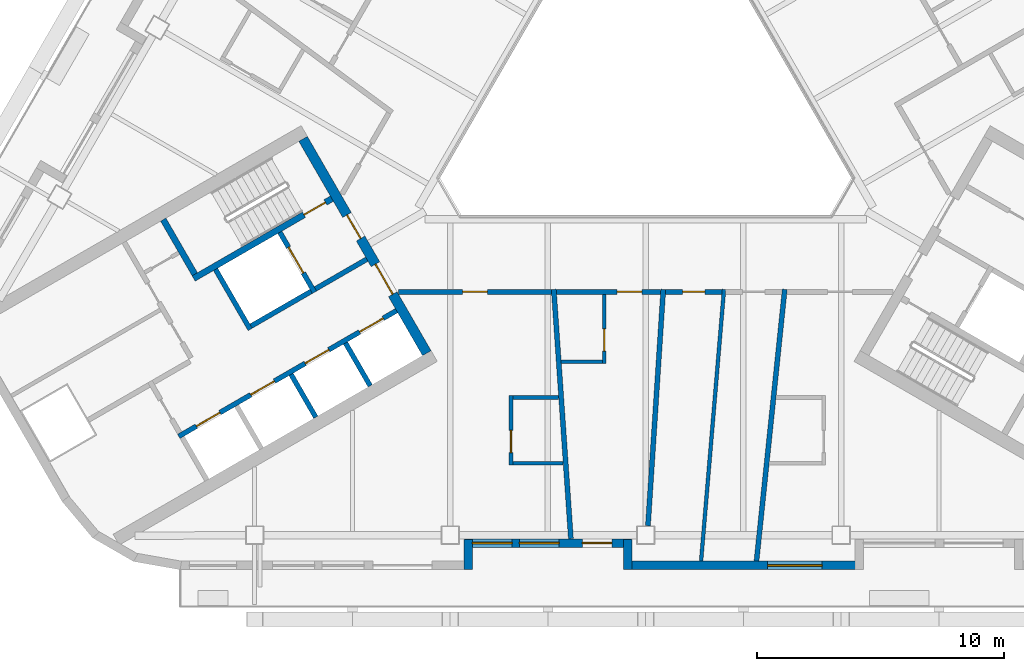
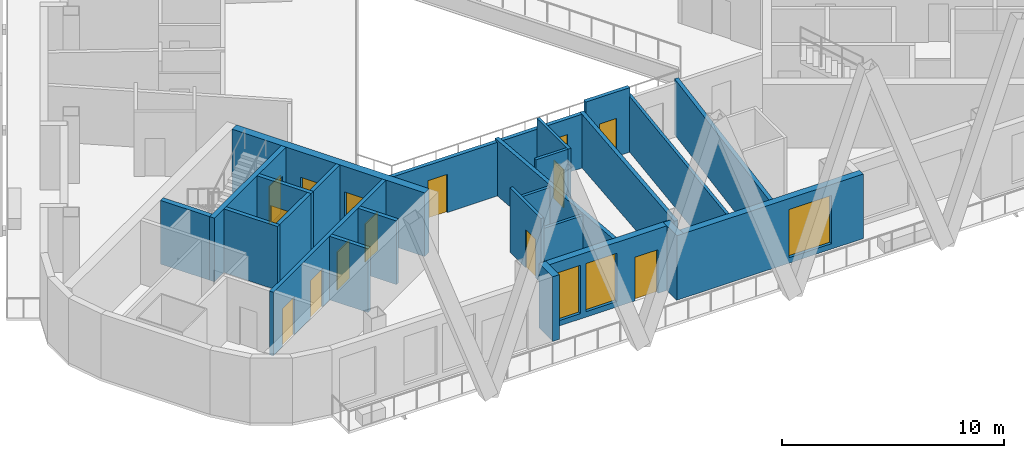
# One storey, part 3 of 14: 26 walls, 14 doors, 3 windows, 17 openings.
"""IFC4 building model written with IfcOpenShell, lengths in metres."""

from ifc_helpers import new_model, si_unit, direction, frame, frame_2d, origin, place, context, subcontext, project, spatial, rectangle, extrude, material, layer, layer_set, type_object, element, fill, save


model = new_model("IFC4")

# Units and contexts
model_context = context("Model", 3, precision=1e-05, world=origin(), true_north=direction((0.0, 1.0)))
body_context = subcontext(model_context, "Body", "Model", "MODEL_VIEW")
ifc_project = project(units=[si_unit("LENGTHUNIT", "METRE"), si_unit("AREAUNIT", "SQUARE_METRE"), si_unit("VOLUMEUNIT", "CUBIC_METRE"), si_unit("PLANEANGLEUNIT", "RADIAN"), si_unit("MASSUNIT", "GRAM", prefix="KILO")], contexts=[model_context])

# Site, building, storey
site_placement = place(None, origin())
site = spatial("IfcSite", under=ifc_project, at=site_placement, CompositionType="ELEMENT")
building_placement = place(site_placement, origin())
building = spatial("IfcBuilding", under=site, at=building_placement, Name="Apuvela Tower Hotel", CompositionType="ELEMENT")
storey_placement = place(building_placement, frame((0.0, 0.0, 202.10009765625)))
storey = spatial("IfcBuildingStorey", under=building, at=storey_placement, Name="L49", CompositionType="ELEMENT", Elevation=202.10009765625)

# Wall, openings, doors
ifc_material_1 = material(Name="Concrete C50/60", Category="concrete")
ifc_layer_1 = layer(ifc_material_1, 0.39990234375)
ifc_layer_set_1 = layer_set([ifc_layer_1], Name="COR-WALL-CORE-400")
wall_type_1 = type_object("IfcWallType", Name="COR-WALL-CORE-400", PredefinedType="SHEAR", material=ifc_layer_set_1)
wall_1_placement = place(storey_placement, frame((-13.844970703125, -2.219970703125, 0.0), z_axis=(0.0, 0.0, 1.0), x_axis=(0.500004234368, -0.866022959057, 0.0)))
wall_1 = element("IfcWall", 1, at=wall_1_placement, inside=storey, type_object=wall_type_1, Name="Core wall SW", PredefinedType="SHEAR", context=body_context, shape_type="SweptSolid", body=[
    extrude(rectangle(XDim=10.0, YDim=0.39990234375, at=frame_2d((5.0, 0.0))), origin(), (0.0, 0.0, 1.0), 3.5),
])
opening_1_placement = place(wall_1_placement, frame((3.550048828125, 0.0, 0.0)))
opening_1 = element("IfcOpeningElement", 2, at=opening_1_placement, cuts=wall_1, Name="Opening W-FD", PredefinedType="OPENING", context=body_context, shape_type="SweptSolid", body=[
    extrude(rectangle(XDim=1.10009765625, YDim=2.10009765625, at=frame_2d((0.550048828125, 1.050048828125))), frame((0.0, 0.2099609375, 0.0), z_axis=(0.0, -1.0, 0.0), x_axis=(1.0, 0.0, 0.0)), (0.0, 0.0, 1.0), 0.419921875),
])
opening_2_placement = place(wall_1_placement, frame((5.85009765625, 0.0, 0.0)))
opening_2 = element("IfcOpeningElement", 3, at=opening_2_placement, cuts=wall_1, Name="Opening W-GD", PredefinedType="OPENING", context=body_context, shape_type="SweptSolid", body=[
    extrude(rectangle(XDim=1.39990234375, YDim=2.10009765625, at=frame_2d((0.699951171875, 1.050048828125))), frame((0.0, 0.2099609375, 0.0), z_axis=(0.0, -1.0, 0.0), x_axis=(1.0, 0.0, 0.0)), (0.0, 0.0, 1.0), 0.419921875),
])
ifc_material_2 = material(Name="Steel fire door, powder coated", Category="steel")
door_type_1 = type_object("IfcDoorType", Name="COR-FD-1100", OperationType="NOTDEFINED", PredefinedType="DOOR", material=ifc_material_2)
door_1_placement = place(opening_1_placement, frame((1.10009765625, 0.0, 0.0), z_axis=(0.0, 0.0, 1.0), x_axis=(-1.0, 0.0, 0.0)))
door_1 = element("IfcDoor", 4, at=door_1_placement, inside=storey, type_object=door_type_1, Name="Firefighting lobby door W-FD", OperationType="SINGLE_SWING_LEFT", OverallHeight=2.10009765625, OverallWidth=1.10009765625, PredefinedType="DOOR", context=body_context, shape_type="SweptSolid", body=[
    extrude(rectangle(XDim=1.10009765625, YDim=2.10009765625, at=frame_2d((0.550048828125, 1.050048828125))), frame((0.0, 0.02490234375, 0.0), z_axis=(0.0, -1.0, 0.0), x_axis=(1.0, 0.0, 0.0)), (0.0, 0.0, 1.0), 0.050048828125),
])
fill(opening_1, door_1)
ifc_material_3 = material(Name="Glazed steel fire door", Category="steel")
door_type_2 = type_object("IfcDoorType", Name="COR-GD-1400", OperationType="DOUBLE_DOOR_SINGLE_SWING", PredefinedType="DOOR", material=ifc_material_3)
door_2_placement = place(opening_2_placement, frame((1.39990234375, 0.0, 0.0), z_axis=(0.0, 0.0, 1.0), x_axis=(-1.0, 0.0, 0.0)))
door_2 = element("IfcDoor", 5, at=door_2_placement, inside=storey, type_object=door_type_2, Name="Lift lobby door W-GD", OperationType="DOUBLE_DOOR_SINGLE_SWING", OverallHeight=2.10009765625, OverallWidth=1.39990234375, PredefinedType="DOOR", context=body_context, shape_type="SweptSolid", body=[
    extrude(rectangle(XDim=1.39990234375, YDim=2.10009765625, at=frame_2d((0.699951171875, 1.050048828125))), frame((0.0, 0.02490234375, 0.0), z_axis=(0.0, -1.0, 0.0), x_axis=(1.0, 0.0, 0.0)), (0.0, 0.0, 1.0), 0.050048828125),
])
fill(opening_2, door_2)

# Wall
ifc_layer_2 = layer(ifc_material_1, 0.199951171875)
ifc_layer_set_2 = layer_set([ifc_layer_2], Name="COR-WALL-SHAFT-200")
wall_type_2 = type_object("IfcWallType", Name="COR-WALL-SHAFT-200", PredefinedType="SHEAR", material=ifc_layer_set_2)
wall_2_placement = place(storey_placement, frame((-17.38134765625, -7.49462890625, 0.0), z_axis=(0.0, 0.0, 1.0), x_axis=(0.500011755427, -0.866018616679, 0.0)))
element("IfcWall", 6, at=wall_2_placement, inside=storey, type_object=wall_type_2, Name="Shaft wall SW", PredefinedType="SHEAR", context=body_context, shape_type="SweptSolid", body=[
    extrude(rectangle(XDim=2.80029296875, YDim=0.199951171875, at=frame_2d((1.400146484375, 0.0))), origin(), (0.0, 0.0, 1.0), 3.5),
])

# Wall, opening, door
wall_3_placement = place(storey_placement, frame((-14.783203125, -5.99462890625, 0.0), z_axis=(0.0, 0.0, 1.0), x_axis=(0.49994636267, -0.866056369097, 0.0)))
wall_3 = element("IfcWall", 7, at=wall_3_placement, inside=storey, type_object=wall_type_2, Name="Shaft wall SW", PredefinedType="SHEAR", context=body_context, shape_type="SweptSolid", body=[
    extrude(rectangle(XDim=2.800048828125, YDim=0.199951171875, at=frame_2d((1.39990234375, 0.0))), origin(), (0.0, 0.0, 1.0), 3.5),
])
opening_3_placement = place(wall_3_placement, frame((0.699951171875, 0.0, 0.0)))
opening_3 = element("IfcOpeningElement", 8, at=opening_3_placement, cuts=wall_3, Name="Opening W-LD-FS2", PredefinedType="OPENING", context=body_context, shape_type="SweptSolid", body=[
    extrude(rectangle(XDim=1.199951171875, YDim=2.10009765625, at=frame_2d((0.60009765625, 1.050048828125))), frame((0.0, 0.10986328125, 0.0), z_axis=(0.0, -1.0, 0.0), x_axis=(1.0, 0.0, 0.0)), (0.0, 0.0, 1.0), 0.219970703125),
])
ifc_material_4 = material(Name="Stainless steel lift landing door", Category="steel")
door_type_3 = type_object("IfcDoorType", Name="COR-LD-1200", OperationType="DOUBLE_DOOR_SLIDING", PredefinedType="DOOR", material=ifc_material_4)
door_3_placement = place(opening_3_placement, origin())
door_3 = element("IfcDoor", 9, at=door_3_placement, inside=storey, type_object=door_type_3, Name="Lift landing door W-LD-FS2", OperationType="DOUBLE_DOOR_SLIDING", OverallHeight=2.10009765625, OverallWidth=1.199951171875, PredefinedType="DOOR", context=body_context, shape_type="SweptSolid", body=[
    extrude(rectangle(XDim=1.199951171875, YDim=2.10009765625, at=frame_2d((0.60009765625, 1.050048828125))), frame((0.0, 0.02490234375, 0.0), z_axis=(0.0, -1.0, 0.0), x_axis=(1.0, 0.0, 0.0)), (0.0, 0.0, 1.0), 0.050048828125),
])
fill(opening_3, door_3)

# Walls
wall_4_placement = place(storey_placement, frame((-13.519775390625, -8.383056640625, 0.0), z_axis=(0.0, 0.0, 1.0), x_axis=(-0.866034573852, -0.49998411664, 0.0)))
element("IfcWall", 10, at=wall_4_placement, inside=storey, type_object=wall_type_2, Name="Shaft wall SW", PredefinedType="SHEAR", context=body_context, shape_type="SweptSolid", body=[
    extrude(rectangle(XDim=2.7998046875, YDim=0.199951171875, at=frame_2d((1.39990234375, 0.0))), origin(), (0.0, 0.0, 1.0), 3.5),
])
wall_5_placement = place(storey_placement, frame((-11.26806640625, -7.0830078125, 0.0), z_axis=(0.0, 0.0, 1.0), x_axis=(-0.866050077142, -0.499957262057, 0.0)))
element("IfcWall", 11, at=wall_5_placement, inside=storey, type_object=wall_type_2, Name="Shaft wall SW", PredefinedType="SHEAR", context=body_context, shape_type="SweptSolid", body=[
    extrude(rectangle(XDim=2.400146484375, YDim=0.199951171875, at=frame_2d((1.2001953125, 0.0))), origin(), (0.0, 0.0, 1.0), 3.5),
])

# Wall, openings, doors
wall_6_placement = place(storey_placement, frame((-10.068115234375, -9.16162109375, 0.0), z_axis=(0.0, 0.0, 1.0), x_axis=(-0.866032725843, -0.499987317609, 0.0)))
wall_6 = element("IfcWall", 12, at=wall_6_placement, inside=storey, type_object=wall_type_2, Name="Shaft wall SW", PredefinedType="SHEAR", context=body_context, shape_type="SweptSolid", body=[
    extrude(rectangle(XDim=10.159912109375, YDim=0.199951171875, at=frame_2d((5.080078125, 0.0))), origin(), (0.0, 0.0, 1.0), 3.5),
])
opening_4_placement = place(wall_6_placement, frame((0.6201171875, 0.0, 0.0)))
opening_4 = element("IfcOpeningElement", 13, at=opening_4_placement, cuts=wall_6, Name="Opening W-LD-MR1", PredefinedType="OPENING", context=body_context, shape_type="SweptSolid", body=[
    extrude(rectangle(XDim=1.10009765625, YDim=2.10009765625, at=frame_2d((0.550048828125, 1.050048828125))), frame((0.0, 0.10986328125, 0.0), z_axis=(0.0, -1.0, 0.0), x_axis=(1.0, 0.0, 0.0)), (0.0, 0.0, 1.0), 0.219970703125),
])
opening_5_placement = place(wall_6_placement, frame((3.159912109375, 0.0, 0.0)))
opening_5 = element("IfcOpeningElement", 14, at=opening_5_placement, cuts=wall_6, Name="Opening W-LD-MR2", PredefinedType="OPENING", context=body_context, shape_type="SweptSolid", body=[
    extrude(rectangle(XDim=1.10009765625, YDim=2.10009765625, at=frame_2d((0.550048828125, 1.050048828125))), frame((0.0, 0.10986328125, 0.0), z_axis=(0.0, -1.0, 0.0), x_axis=(1.0, 0.0, 0.0)), (0.0, 0.0, 1.0), 0.219970703125),
])
opening_6_placement = place(wall_6_placement, frame((5.699951171875, 0.0, 0.0)))
opening_6 = element("IfcOpeningElement", 15, at=opening_6_placement, cuts=wall_6, Name="Opening W-LD-MR3", PredefinedType="OPENING", context=body_context, shape_type="SweptSolid", body=[
    extrude(rectangle(XDim=1.10009765625, YDim=2.10009765625, at=frame_2d((0.550048828125, 1.050048828125))), frame((0.0, 0.10986328125, 0.0), z_axis=(0.0, -1.0, 0.0), x_axis=(1.0, 0.0, 0.0)), (0.0, 0.0, 1.0), 0.219970703125),
])
opening_7_placement = place(wall_6_placement, frame((8.239990234375, 0.0, 0.0)))
opening_7 = element("IfcOpeningElement", 16, at=opening_7_placement, cuts=wall_6, Name="Opening W-LD-MR4", PredefinedType="OPENING", context=body_context, shape_type="SweptSolid", body=[
    extrude(rectangle(XDim=1.10009765625, YDim=2.10009765625, at=frame_2d((0.550048828125, 1.050048828125))), frame((0.0, 0.10986328125, 0.0), z_axis=(0.0, -1.0, 0.0), x_axis=(1.0, 0.0, 0.0)), (0.0, 0.0, 1.0), 0.219970703125),
])
door_type_4 = type_object("IfcDoorType", Name="COR-LD-1100", OperationType="DOUBLE_DOOR_SLIDING", PredefinedType="DOOR", material=ifc_material_4)
door_4_placement = place(opening_4_placement, origin())
door_4 = element("IfcDoor", 17, at=door_4_placement, inside=storey, type_object=door_type_4, Name="Lift landing door W-LD-MR1", OperationType="DOUBLE_DOOR_SLIDING", OverallHeight=2.10009765625, OverallWidth=1.10009765625, PredefinedType="DOOR", context=body_context, shape_type="SweptSolid", body=[
    extrude(rectangle(XDim=1.10009765625, YDim=2.10009765625, at=frame_2d((0.550048828125, 1.050048828125))), frame((0.0, 0.02490234375, 0.0), z_axis=(0.0, -1.0, 0.0), x_axis=(1.0, 0.0, 0.0)), (0.0, 0.0, 1.0), 0.050048828125),
])
fill(opening_4, door_4)
door_5_placement = place(opening_5_placement, origin())
door_5 = element("IfcDoor", 18, at=door_5_placement, inside=storey, type_object=door_type_4, Name="Lift landing door W-LD-MR2", OperationType="DOUBLE_DOOR_SLIDING", OverallHeight=2.10009765625, OverallWidth=1.10009765625, PredefinedType="DOOR", context=body_context, shape_type="SweptSolid", body=[
    extrude(rectangle(XDim=1.10009765625, YDim=2.10009765625, at=frame_2d((0.550048828125, 1.050048828125))), frame((0.0, 0.02490234375, 0.0), z_axis=(0.0, -1.0, 0.0), x_axis=(1.0, 0.0, 0.0)), (0.0, 0.0, 1.0), 0.050048828125),
])
fill(opening_5, door_5)
door_6_placement = place(opening_6_placement, origin())
door_6 = element("IfcDoor", 19, at=door_6_placement, inside=storey, type_object=door_type_4, Name="Lift landing door W-LD-MR3", OperationType="DOUBLE_DOOR_SLIDING", OverallHeight=2.10009765625, OverallWidth=1.10009765625, PredefinedType="DOOR", context=body_context, shape_type="SweptSolid", body=[
    extrude(rectangle(XDim=1.10009765625, YDim=2.10009765625, at=frame_2d((0.550048828125, 1.050048828125))), frame((0.0, 0.02490234375, 0.0), z_axis=(0.0, -1.0, 0.0), x_axis=(1.0, 0.0, 0.0)), (0.0, 0.0, 1.0), 0.050048828125),
])
fill(opening_6, door_6)
door_7_placement = place(opening_7_placement, origin())
door_7 = element("IfcDoor", 20, at=door_7_placement, inside=storey, type_object=door_type_4, Name="Lift landing door W-LD-MR4", OperationType="DOUBLE_DOOR_SLIDING", OverallHeight=2.10009765625, OverallWidth=1.10009765625, PredefinedType="DOOR", context=body_context, shape_type="SweptSolid", body=[
    extrude(rectangle(XDim=1.10009765625, YDim=2.10009765625, at=frame_2d((0.550048828125, 1.050048828125))), frame((0.0, 0.02490234375, 0.0), z_axis=(0.0, -1.0, 0.0), x_axis=(1.0, 0.0, 0.0)), (0.0, 0.0, 1.0), 0.050048828125),
])
fill(opening_7, door_7)

# Walls
for number, where, z_axis, x_axis, name in (
    (21, (-12.131103515625, -10.468017578125, 0.0), (0.0, 0.0, 1.0), (0.499972520799, -0.866041268327, 0.0), "Shaft wall SW"),
    (22, (-14.330810546875, -11.738037109375, 0.0), (0.0, 0.0, 1.0), (0.499972520799, -0.866041268327, 0.0), "Shaft wall SW"),
):
    element("IfcWall", number, at=place(storey_placement, frame(where, z_axis=z_axis, x_axis=x_axis)), inside=storey, type_object=wall_type_2, Name=name, PredefinedType="SHEAR", context=body_context, shape_type="SweptSolid", body=[
        extrude(rectangle(XDim=2.0, YDim=0.199951171875, at=frame_2d((1.0, 0.0))), origin(), (0.0, 0.0, 1.0), 3.5),
    ])

# Wall, opening, door
ifc_layer_3 = layer(ifc_material_1, 0.25)
ifc_layer_set_3 = layer_set([ifc_layer_3], Name="COR-WALL-STAIR-250")
wall_type_3 = type_object("IfcWallType", Name="COR-WALL-STAIR-250", PredefinedType="SHEAR", material=ifc_layer_set_3)
wall_7_placement = place(storey_placement, frame((-12.6806640625, -4.636474609375, 0.0), z_axis=(0.0, 0.0, 1.0), x_axis=(-0.866021702275, -0.500006411147, 0.0)))
wall_7 = element("IfcWall", 23, at=wall_7_placement, inside=storey, type_object=wall_type_3, Name="Stair wall SW", PredefinedType="SHEAR", context=body_context, shape_type="SweptSolid", body=[
    extrude(rectangle(XDim=6.4501953125, YDim=0.25, at=frame_2d((3.22509765625, 0.0))), origin(), (0.0, 0.0, 1.0), 3.5),
])
opening_8_placement = place(wall_7_placement, frame((0.300048828125, 0.0, 0.0)))
opening_8 = element("IfcOpeningElement", 24, at=opening_8_placement, cuts=wall_7, Name="Opening W-SD", PredefinedType="OPENING", context=body_context, shape_type="SweptSolid", body=[
    extrude(rectangle(XDim=1.0, YDim=2.10009765625, at=frame_2d((0.5, 1.050048828125))), frame((0.0, 0.135009765625, 0.0), z_axis=(0.0, -1.0, 0.0), x_axis=(1.0, 0.0, 0.0)), (0.0, 0.0, 1.0), 0.27001953125),
])
door_type_5 = type_object("IfcDoorType", Name="COR-SD-1000", OperationType="NOTDEFINED", PredefinedType="DOOR", material=ifc_material_2)
door_8_placement = place(opening_8_placement, frame((1.0, 0.0, 0.0), z_axis=(0.0, 0.0, 1.0), x_axis=(-1.0, 0.0, 0.0)))
door_8 = element("IfcDoor", 25, at=door_8_placement, inside=storey, type_object=door_type_5, Name="Stair door W-SD", OperationType="SINGLE_SWING_LEFT", OverallHeight=2.10009765625, OverallWidth=1.0, PredefinedType="DOOR", context=body_context, shape_type="SweptSolid", body=[
    extrude(rectangle(XDim=1.0, YDim=2.10009765625, at=frame_2d((0.5, 1.050048828125))), frame((0.0, 0.02490234375, 0.0), z_axis=(0.0, -1.0, 0.0), x_axis=(1.0, 0.0, 0.0)), (0.0, 0.0, 1.0), 0.050048828125),
])
fill(opening_8, door_8)

# Walls
wall_8_placement = place(storey_placement, frame((-19.49560546875, -5.482421875, 0.0), z_axis=(0.0, 0.0, 1.0), x_axis=(0.499990435942, -0.866030925526, 0.0)))
element("IfcWall", 26, at=wall_8_placement, inside=storey, type_object=wall_type_3, Name="Stair wall SW", PredefinedType="SHEAR", context=body_context, shape_type="SweptSolid", body=[
    extrude(rectangle(XDim=2.5498046875, YDim=0.25, at=frame_2d((1.27490234375, 0.0))), origin(), (0.0, 0.0, 1.0), 3.5),
])
ifc_material_5 = material(Name="Concrete C40/50, dark pigmented precast panel", Category="concrete")
ifc_layer_4 = layer(ifc_material_5, 0.35009765625)
ifc_layer_set_4 = layer_set([ifc_layer_4], Name="ENV-WALL-350")
wall_type_4 = type_object("IfcWallType", Name="ENV-WALL-350", PredefinedType="SOLIDWALL", material=ifc_layer_set_4)
wall_9_placement = place(storey_placement, frame((-7.175048828125, -19.6298828125, 0.0), z_axis=(0.0, 0.0, 1.0), x_axis=(0.0, 1.0, 0.0)))
element("IfcWall", 27, at=wall_9_placement, inside=storey, type_object=wall_type_4, Name="External wall L49-18", PredefinedType="SOLIDWALL", context=body_context, shape_type="SweptSolid", body=[
    extrude(rectangle(XDim=1.219970703125, YDim=0.35009765625, at=frame_2d((0.60986328125, 0.0))), origin(), (0.0, 0.0, 1.0), 3.5498046875),
])

# Wall, openings, door, windows
wall_10_placement = place(storey_placement, frame((-7.320068359375, -18.554931640625, 0.0), z_axis=(0.0, 0.0, 1.0), x_axis=(1.0, 0.0, 0.0)))
wall_10 = element("IfcWall", 28, at=wall_10_placement, inside=storey, type_object=wall_type_4, Name="External wall L49-19", PredefinedType="SOLIDWALL", context=body_context, shape_type="SweptSolid", body=[
    extrude(rectangle(XDim=6.739990234375, YDim=0.35009765625, at=frame_2d((3.3701171875, 0.0))), origin(), (0.0, 0.0, 1.0), 3.5498046875),
])
opening_9_placement = place(wall_10_placement, frame((0.3203125, 0.0, 0.300048828125)))
opening_9 = element("IfcOpeningElement", 29, at=opening_9_placement, cuts=wall_10, Name="Opening WN16", PredefinedType="OPENING", context=body_context, shape_type="SweptSolid", body=[
    extrude(rectangle(XDim=1.60009765625, YDim=2.64990234375, at=frame_2d((0.800048828125, 1.324951171875))), frame((0.0, 0.18505859375, 0.0), z_axis=(0.0, -1.0, 0.0), x_axis=(1.0, 0.0, 0.0)), (0.0, 0.0, 1.0), 0.3701171875),
])
opening_10_placement = place(wall_10_placement, frame((2.220458984375, 0.0, 0.300048828125)))
opening_10 = element("IfcOpeningElement", 30, at=opening_10_placement, cuts=wall_10, Name="Opening WN16", PredefinedType="OPENING", context=body_context, shape_type="SweptSolid", body=[
    extrude(rectangle(XDim=1.60009765625, YDim=2.64990234375, at=frame_2d((0.800048828125, 1.324951171875))), frame((0.0, 0.18505859375, 0.0), z_axis=(0.0, -1.0, 0.0), x_axis=(1.0, 0.0, 0.0)), (0.0, 0.0, 1.0), 0.3701171875),
])
opening_11_placement = place(wall_10_placement, frame((4.759033203125, 0.0, 0.0)))
opening_11 = element("IfcOpeningElement", 31, at=opening_11_placement, cuts=wall_10, Name="Opening BD12", PredefinedType="OPENING", context=body_context, shape_type="SweptSolid", body=[
    extrude(rectangle(XDim=1.199951171875, YDim=2.39990234375, at=frame_2d((0.60009765625, 1.199951171875))), frame((0.0, 0.18505859375, 0.0), z_axis=(0.0, -1.0, 0.0), x_axis=(1.0, 0.0, 0.0)), (0.0, 0.0, 1.0), 0.3701171875),
])
ifc_material_6 = material(Name="Aluminium 6063-T6, dark bronze anodised frame with dark tinted laminated glass", Category="aluminium")
door_type_6 = type_object("IfcDoorType", Name="ENV-DOOR-BALCONY-1200x2400", OperationType="SLIDING_TO_LEFT", PredefinedType="DOOR", material=ifc_material_6)
door_9_placement = place(opening_11_placement, frame((1.199951171875, 0.0, 0.0), z_axis=(0.0, 0.0, 1.0), x_axis=(-1.0, 0.0, 0.0)))
door_9 = element("IfcDoor", 32, at=door_9_placement, inside=storey, type_object=door_type_6, Name="Balcony door BD12", OperationType="SLIDING_TO_LEFT", OverallHeight=2.39990234375, OverallWidth=1.199951171875, PredefinedType="DOOR", context=body_context, shape_type="SweptSolid", body=[
    extrude(rectangle(XDim=1.199951171875, YDim=2.39990234375, at=frame_2d((0.60009765625, 1.199951171875))), frame((0.0, 0.02490234375, 0.0), z_axis=(0.0, -1.0, 0.0), x_axis=(1.0, 0.0, 0.0)), (0.0, 0.0, 1.0), 0.050048828125),
])
fill(opening_11, door_9)
ifc_material_7 = material(Name="Glass, dark tinted laminated insulated glazing unit", Category="glass")
window_type_1 = type_object("IfcWindowType", Name="ENV-WIN-1600x2650", PartitioningType="SINGLE_PANEL", PredefinedType="WINDOW", material=ifc_material_7)
window_1_placement = place(opening_9_placement, origin())
window_1 = element("IfcWindow", 33, at=window_1_placement, inside=storey, type_object=window_type_1, Name="Window WN16", OverallHeight=2.64990234375, OverallWidth=1.60009765625, PartitioningType="SINGLE_PANEL", PredefinedType="WINDOW", context=body_context, shape_type="SweptSolid", body=[
    extrude(rectangle(XDim=1.60009765625, YDim=2.64990234375, at=frame_2d((0.800048828125, 1.324951171875))), frame((0.0, 0.030029296875, 0.0), z_axis=(0.0, -1.0, 0.0), x_axis=(1.0, 0.0, 0.0)), (0.0, 0.0, 1.0), 0.06005859375),
])
fill(opening_9, window_1)
window_2_placement = place(opening_10_placement, origin())
window_2 = element("IfcWindow", 34, at=window_2_placement, inside=storey, type_object=window_type_1, Name="Window WN16", OverallHeight=2.64990234375, OverallWidth=1.60009765625, PartitioningType="SINGLE_PANEL", PredefinedType="WINDOW", context=body_context, shape_type="SweptSolid", body=[
    extrude(rectangle(XDim=1.60009765625, YDim=2.64990234375, at=frame_2d((0.800048828125, 1.324951171875))), frame((0.0, 0.030029296875, 0.0), z_axis=(0.0, -1.0, 0.0), x_axis=(1.0, 0.0, 0.0)), (0.0, 0.0, 1.0), 0.06005859375),
])
fill(opening_10, window_2)

# Wall
wall_11_placement = place(storey_placement, frame((-0.72509765625, -18.409912109375, 0.0), z_axis=(0.0, 0.0, 1.0), x_axis=(0.0, -1.0, 0.0)))
element("IfcWall", 35, at=wall_11_placement, inside=storey, type_object=wall_type_4, Name="External wall L49-20", PredefinedType="SOLIDWALL", context=body_context, shape_type="SweptSolid", body=[
    extrude(rectangle(XDim=1.219970703125, YDim=0.35009765625, at=frame_2d((0.60986328125, 0.0))), origin(), (0.0, 0.0, 1.0), 3.5498046875),
])

# Wall, opening, window
wall_12_placement = place(storey_placement, frame((-0.89990234375, -19.455078125, 0.0), z_axis=(0.0, 0.0, 1.0), x_axis=(1.0, 0.0, 0.0)))
wall_12 = element("IfcWall", 36, at=wall_12_placement, inside=storey, type_object=wall_type_4, Name="External wall L49-21", PredefinedType="SOLIDWALL", context=body_context, shape_type="SweptSolid", body=[
    extrude(rectangle(XDim=9.699951171875, YDim=0.35009765625, at=frame_2d((4.85009765625, 0.0))), origin(), (0.0, 0.0, 1.0), 3.5498046875),
])
opening_12_placement = place(wall_12_placement, frame((5.830078125, 0.0, 0.300048828125)))
opening_12 = element("IfcOpeningElement", 37, at=opening_12_placement, cuts=wall_12, Name="Opening WN22", PredefinedType="OPENING", context=body_context, shape_type="SweptSolid", body=[
    extrude(rectangle(XDim=2.199951171875, YDim=2.64990234375, at=frame_2d((1.10009765625, 1.324951171875))), frame((0.0, 0.18505859375, 0.0), z_axis=(0.0, -1.0, 0.0), x_axis=(1.0, 0.0, 0.0)), (0.0, 0.0, 1.0), 0.3701171875),
])
window_type_2 = type_object("IfcWindowType", Name="ENV-WIN-2200x2650", PartitioningType="SINGLE_PANEL", PredefinedType="WINDOW", material=ifc_material_7)
window_3_placement = place(opening_12_placement, origin())
window_3 = element("IfcWindow", 38, at=window_3_placement, inside=storey, type_object=window_type_2, Name="Window WN22", OverallHeight=2.64990234375, OverallWidth=2.199951171875, PartitioningType="SINGLE_PANEL", PredefinedType="WINDOW", context=body_context, shape_type="SweptSolid", body=[
    extrude(rectangle(XDim=2.199951171875, YDim=2.64990234375, at=frame_2d((1.10009765625, 1.324951171875))), frame((0.0, 0.030029296875, 0.0), z_axis=(0.0, -1.0, 0.0), x_axis=(1.0, 0.0, 0.0)), (0.0, 0.0, 1.0), 0.06005859375),
])
fill(opening_12, window_3)

# Walls
ifc_material_8 = material(Name="Gypsum board partition on twin steel stud", Category="steel")
ifc_layer_5 = layer(ifc_material_8, 0.199951171875)
ifc_layer_set_5 = layer_set([ifc_layer_5], Name="GST-PW1")
wall_type_5 = type_object("IfcWallType", Name="GST-PW1", PredefinedType="PARTITIONING", material=ifc_layer_set_5)
wall_13_placement = place(storey_placement, frame((-3.021728515625, -18.3798828125, 0.0), z_axis=(0.0, 0.0, 1.0), x_axis=(-0.068480322914, 0.997652467232, 0.0)))
element("IfcWall", 39, at=wall_13_placement, inside=storey, type_object=wall_type_5, Name="L49 partition 01", PredefinedType="PARTITIONING", context=body_context, shape_type="SweptSolid", body=[
    extrude(rectangle(XDim=10.103515625, YDim=0.199951171875, at=frame_2d((5.0517578125, 0.0))), origin(), (0.0, 0.0, 1.0), 3.059814453125),
])
wall_14_placement = place(storey_placement, frame((0.092529296875, -17.85498046875, 0.0), z_axis=(0.0, 0.0, 1.0), x_axis=(0.064789362054, 0.997898962102, 0.0)))
element("IfcWall", 40, at=wall_14_placement, inside=storey, type_object=wall_type_5, Name="L49 partition 02", PredefinedType="PARTITIONING", context=body_context, shape_type="SweptSolid", body=[
    extrude(rectangle(XDim=9.574951171875, YDim=0.199951171875, at=frame_2d((4.78759765625, 0.0))), origin(), (0.0, 0.0, 1.0), 2.949951171875),
])
wall_15_placement = place(storey_placement, frame((4.47998046875, -19.280029296875, 0.0), z_axis=(0.0, 0.0, 1.0), x_axis=(0.103348095524, 0.994645248896, 0.0)))
element("IfcWall", 41, at=wall_15_placement, inside=storey, type_object=wall_type_5, Name="L49 partition 03", PredefinedType="PARTITIONING", context=body_context, shape_type="SweptSolid", body=[
    extrude(rectangle(XDim=11.0390625, YDim=0.199951171875, at=frame_2d((5.51953125, 0.0))), origin(), (0.0, 0.0, 1.0), 3.059814453125),
])

# Wall, opening, door
ifc_material_9 = material(Name="Gypsum board corridor wall on twin steel stud, acoustic", Category="steel")
ifc_layer_6 = layer(ifc_material_9, 0.199951171875)
ifc_layer_set_6 = layer_set([ifc_layer_6], Name="GST-PW2")
wall_type_6 = type_object("IfcWallType", Name="GST-PW2", PredefinedType="PARTITIONING", material=ifc_layer_set_6)
wall_16_placement = place(storey_placement, frame((-3.80712890625, -8.39990234375, 0.0), z_axis=(0.0, 0.0, 1.0), x_axis=(-1.0, 0.0, 0.0)))
wall_16 = element("IfcWall", 42, at=wall_16_placement, inside=storey, type_object=wall_type_6, Name="L49 partition 11", PredefinedType="PARTITIONING", context=body_context, shape_type="SweptSolid", body=[
    extrude(rectangle(XDim=6.18115234375, YDim=0.199951171875, at=frame_2d((3.090576171875, 0.0))), origin(), (0.0, 0.0, 1.0), 2.949951171875),
])
opening_13_placement = place(wall_16_placement, frame((2.590576171875, 0.0, 0.0)))
opening_13 = element("IfcOpeningElement", 43, at=opening_13_placement, cuts=wall_16, Name="Opening GD19-02", PredefinedType="OPENING", context=body_context, shape_type="SweptSolid", body=[
    extrude(rectangle(XDim=1.0, YDim=2.10009765625, at=frame_2d((0.5, 1.050048828125))), frame((0.0, 0.10986328125, 0.0), z_axis=(0.0, -1.0, 0.0), x_axis=(1.0, 0.0, 0.0)), (0.0, 0.0, 1.0), 0.219970703125),
])
ifc_material_10 = material(Name="Timber door leaf in steel frame", Category="steel")
door_type_7 = type_object("IfcDoorType", Name="GST-D1", OperationType="NOTDEFINED", PredefinedType="DOOR", material=ifc_material_10)
door_10_placement = place(opening_13_placement, origin())
door_10 = element("IfcDoor", 44, at=door_10_placement, inside=storey, type_object=door_type_7, Name="Door L49-02", OperationType="SINGLE_SWING_LEFT", OverallHeight=2.10009765625, OverallWidth=1.0, PredefinedType="DOOR", context=body_context, shape_type="SweptSolid", body=[
    extrude(rectangle(XDim=1.0, YDim=2.10009765625, at=frame_2d((0.5, 1.050048828125))), frame((0.0, 0.02490234375, 0.0), z_axis=(0.0, -1.0, 0.0), x_axis=(1.0, 0.0, 0.0)), (0.0, 0.0, 1.0), 0.050048828125),
])
fill(opening_13, door_10)

wall_17_placement = place(storey_placement, frame((0.606201171875, -8.39990234375, 0.0), z_axis=(0.0, 0.0, 1.0), x_axis=(-1.0, 0.0, 0.0)))
wall_17 = element("IfcWall", 45, at=wall_17_placement, inside=storey, type_object=wall_type_6, Name="L49 partition 15", PredefinedType="PARTITIONING", context=body_context, shape_type="SweptSolid", body=[
    extrude(rectangle(XDim=4.212890625, YDim=0.199951171875, at=frame_2d((2.1064453125, 0.0))), origin(), (0.0, 0.0, 1.0), 2.949951171875),
])
opening_14_placement = place(wall_17_placement, frame((0.756103515625, 0.0, 0.0)))
opening_14 = element("IfcOpeningElement", 46, at=opening_14_placement, cuts=wall_17, Name="Opening GD19-04", PredefinedType="OPENING", context=body_context, shape_type="SweptSolid", body=[
    extrude(rectangle(XDim=1.0, YDim=2.10009765625, at=frame_2d((0.5, 1.050048828125))), frame((0.0, 0.10986328125, 0.0), z_axis=(0.0, -1.0, 0.0), x_axis=(1.0, 0.0, 0.0)), (0.0, 0.0, 1.0), 0.219970703125),
])
door_11_placement = place(opening_14_placement, origin())
door_11 = element("IfcDoor", 47, at=door_11_placement, inside=storey, type_object=door_type_7, Name="Door L49-04", OperationType="SINGLE_SWING_LEFT", OverallHeight=2.10009765625, OverallWidth=1.0, PredefinedType="DOOR", context=body_context, shape_type="SweptSolid", body=[
    extrude(rectangle(XDim=1.0, YDim=2.10009765625, at=frame_2d((0.5, 1.050048828125))), frame((0.0, 0.02490234375, 0.0), z_axis=(0.0, -1.0, 0.0), x_axis=(1.0, 0.0, 0.0)), (0.0, 0.0, 1.0), 0.050048828125),
])
fill(opening_14, door_11)

wall_18_placement = place(storey_placement, frame((3.08349609375, -8.39990234375, 0.0), z_axis=(0.0, 0.0, 1.0), x_axis=(-1.0, 0.0, 0.0)))
wall_18 = element("IfcWall", 48, at=wall_18_placement, inside=storey, type_object=wall_type_6, Name="L49 partition 19", PredefinedType="PARTITIONING", context=body_context, shape_type="SweptSolid", body=[
    extrude(rectangle(XDim=2.27685546875, YDim=0.199951171875, at=frame_2d((1.138427734375, 0.0))), origin(), (0.0, 0.0, 1.0), 3.5498046875),
])
opening_15_placement = place(wall_18_placement, frame((0.688232421875, 0.0, 0.0)))
opening_15 = element("IfcOpeningElement", 49, at=opening_15_placement, cuts=wall_18, Name="Opening GD19-05", PredefinedType="OPENING", context=body_context, shape_type="SweptSolid", body=[
    extrude(rectangle(XDim=0.89990234375, YDim=2.10009765625, at=frame_2d((0.449951171875, 1.050048828125))), frame((0.0, 0.10986328125, 0.0), z_axis=(0.0, -1.0, 0.0), x_axis=(1.0, 0.0, 0.0)), (0.0, 0.0, 1.0), 0.219970703125),
])
door_type_8 = type_object("IfcDoorType", Name="GST-D2", OperationType="NOTDEFINED", PredefinedType="DOOR", material=ifc_material_10)
door_12_placement = place(opening_15_placement, origin())
door_12 = element("IfcDoor", 50, at=door_12_placement, inside=storey, type_object=door_type_8, Name="Door L49-05", OperationType="SINGLE_SWING_LEFT", OverallHeight=2.10009765625, OverallWidth=0.89990234375, PredefinedType="DOOR", context=body_context, shape_type="SweptSolid", body=[
    extrude(rectangle(XDim=0.89990234375, YDim=2.10009765625, at=frame_2d((0.449951171875, 1.050048828125))), frame((0.0, 0.02490234375, 0.0), z_axis=(0.0, -1.0, 0.0), x_axis=(1.0, 0.0, 0.0)), (0.0, 0.0, 1.0), 0.050048828125),
])
fill(opening_15, door_12)

ifc_material_11 = material(Name="Moisture-resistant gypsum board wet wall on steel stud", Category="steel")
ifc_layer_7 = layer(ifc_material_11, 0.14990234375)
ifc_layer_set_7 = layer_set([ifc_layer_7], Name="GST-PW3")
wall_type_7 = type_object("IfcWallType", Name="GST-PW3", PredefinedType="PARTITIONING", material=ifc_layer_set_7)
wall_19_placement = place(storey_placement, frame((-5.44384765625, -12.60009765625, 0.0), z_axis=(0.0, 0.0, 1.0), x_axis=(0.0, -1.0, 0.0)))
wall_19 = element("IfcWall", 51, at=wall_19_placement, inside=storey, type_object=wall_type_7, Name="L49 partition 12", PredefinedType="PARTITIONING", context=body_context, shape_type="SweptSolid", body=[
    extrude(rectangle(XDim=2.7998046875, YDim=0.14990234375, at=frame_2d((1.39990234375, 0.0))), origin(), (0.0, 0.0, 1.0), 3.5498046875),
])
opening_16_placement = place(wall_19_placement, frame((1.39990234375, 0.0, 0.0)))
opening_16 = element("IfcOpeningElement", 52, at=opening_16_placement, cuts=wall_19, Name="Opening GD19-01", PredefinedType="OPENING", context=body_context, shape_type="SweptSolid", body=[
    extrude(rectangle(XDim=0.89990234375, YDim=2.10009765625, at=frame_2d((0.449951171875, 1.050048828125))), frame((0.0, 0.0849609375, 0.0), z_axis=(0.0, -1.0, 0.0), x_axis=(1.0, 0.0, 0.0)), (0.0, 0.0, 1.0), 0.169921875),
])
door_13_placement = place(opening_16_placement, origin())
door_13 = element("IfcDoor", 53, at=door_13_placement, inside=storey, type_object=door_type_8, Name="Door L49-01", OperationType="SINGLE_SWING_RIGHT", OverallHeight=2.10009765625, OverallWidth=0.89990234375, PredefinedType="DOOR", context=body_context, shape_type="SweptSolid", body=[
    extrude(rectangle(XDim=0.89990234375, YDim=2.10009765625, at=frame_2d((0.449951171875, 1.050048828125))), frame((0.0, 0.02490234375, 0.0), z_axis=(0.0, -1.0, 0.0), x_axis=(1.0, 0.0, 0.0)), (0.0, 0.0, 1.0), 0.050048828125),
])
fill(opening_16, door_13)

# Walls
wall_20_placement = place(storey_placement, frame((-5.368896484375, -15.324951171875, 0.0), z_axis=(0.0, 0.0, 1.0), x_axis=(1.0, 0.0, 0.0)))
element("IfcWall", 54, at=wall_20_placement, inside=storey, type_object=wall_type_7, Name="L49 partition 13", PredefinedType="PARTITIONING", context=body_context, shape_type="SweptSolid", body=[
    extrude(rectangle(XDim=2.037109375, YDim=0.14990234375, at=frame_2d((1.0185546875, 0.0))), origin(), (0.0, 0.0, 1.0), 2.949951171875),
])
wall_21_placement = place(storey_placement, frame((-5.368896484375, -12.675048828125, 0.0), z_axis=(0.0, 0.0, 1.0), x_axis=(1.0, 0.0, 0.0)))
element("IfcWall", 55, at=wall_21_placement, inside=storey, type_object=wall_type_7, Name="L49 partition 14", PredefinedType="PARTITIONING", context=body_context, shape_type="SweptSolid", body=[
    extrude(rectangle(XDim=1.855224609375, YDim=0.14990234375, at=frame_2d((0.927734375, 0.0))), origin(), (0.0, 0.0, 1.0), 2.949951171875),
])

# Wall, opening, door
wall_22_placement = place(storey_placement, frame((-1.6748046875, -11.300048828125, 0.0), z_axis=(0.0, 0.0, 1.0), x_axis=(0.0, 1.0, 0.0)))
wall_22 = element("IfcWall", 56, at=wall_22_placement, inside=storey, type_object=wall_type_7, Name="L49 partition 16", PredefinedType="PARTITIONING", context=body_context, shape_type="SweptSolid", body=[
    extrude(rectangle(XDim=2.800048828125, YDim=0.14990234375, at=frame_2d((1.39990234375, 0.0))), origin(), (0.0, 0.0, 1.0), 3.5498046875),
])
opening_17_placement = place(wall_22_placement, frame((0.5, 0.0, 0.0)))
opening_17 = element("IfcOpeningElement", 57, at=opening_17_placement, cuts=wall_22, Name="Opening GD19-03", PredefinedType="OPENING", context=body_context, shape_type="SweptSolid", body=[
    extrude(rectangle(XDim=0.89990234375, YDim=2.10009765625, at=frame_2d((0.449951171875, 1.050048828125))), frame((0.0, 0.0849609375, 0.0), z_axis=(0.0, -1.0, 0.0), x_axis=(1.0, 0.0, 0.0)), (0.0, 0.0, 1.0), 0.169921875),
])
door_14_placement = place(opening_17_placement, origin())
door_14 = element("IfcDoor", 58, at=door_14_placement, inside=storey, type_object=door_type_8, Name="Door L49-03", OperationType="SINGLE_SWING_LEFT", OverallHeight=2.10009765625, OverallWidth=0.89990234375, PredefinedType="DOOR", context=body_context, shape_type="SweptSolid", body=[
    extrude(rectangle(XDim=0.89990234375, YDim=2.10009765625, at=frame_2d((0.449951171875, 1.050048828125))), frame((0.0, 0.02490234375, 0.0), z_axis=(0.0, -1.0, 0.0), x_axis=(1.0, 0.0, 0.0)), (0.0, 0.0, 1.0), 0.050048828125),
])
fill(opening_17, door_14)

# Walls
wall_23_placement = place(storey_placement, frame((-3.41259765625, -11.22509765625, 0.0), z_axis=(0.0, 0.0, 1.0), x_axis=(1.0, 0.0, 0.0)))
element("IfcWall", 59, at=wall_23_placement, inside=storey, type_object=wall_type_7, Name="L49 partition 17", PredefinedType="PARTITIONING", context=body_context, shape_type="SweptSolid", body=[
    extrude(rectangle(XDim=1.662841796875, YDim=0.14990234375, at=frame_2d((0.83154296875, 0.0))), origin(), (0.0, 0.0, 1.0), 3.5498046875),
])
wall_24_placement = place(storey_placement, frame((2.239990234375, -19.280029296875, 0.0), z_axis=(0.0, 0.0, 1.0), x_axis=(0.084127266942, 0.99645501803, 0.0)))
element("IfcWall", 60, at=wall_24_placement, inside=storey, type_object=wall_type_7, Name="L49 partition 18", PredefinedType="PARTITIONING", context=body_context, shape_type="SweptSolid", body=[
    extrude(rectangle(XDim=11.01904296875, YDim=0.14990234375, at=frame_2d((5.509521484375, 0.0))), origin(), (0.0, 0.0, 1.0), 3.059814453125),
])

save(model, "model.ifc")
